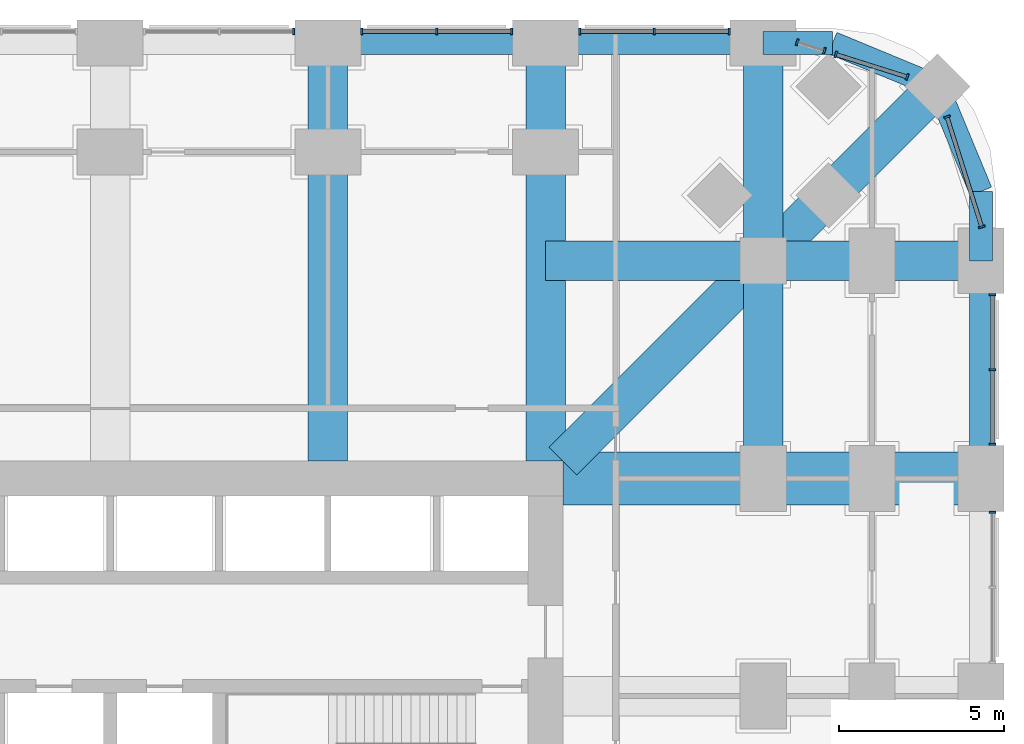
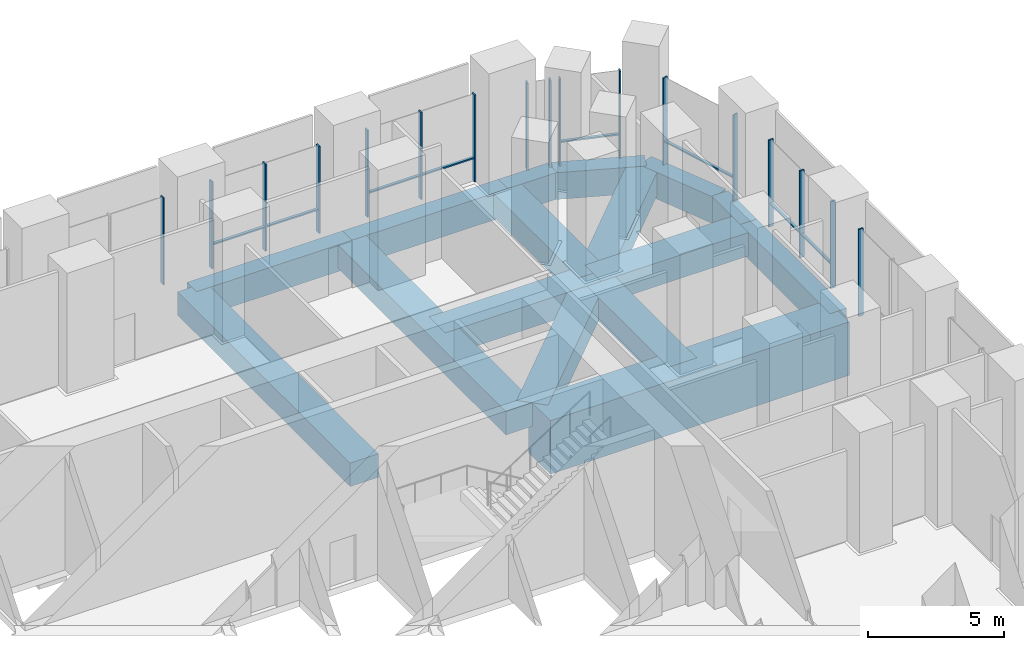
# One storey, part 6 of 17: 25 members, 16 beams, 8 elements without a shape of their own.
"""IFC4 building model written with IfcOpenShell, lengths in metres."""

from ifc_helpers import new_model, si_unit, direction, frame, origin, origin_2d, place, context, subcontext, project, spatial, rectangle, extrude, material, material_profile, profile_set, type_object, element, aggregate, save


model = new_model("IFC4")

# Units and contexts
model_context = context("Model", 3, precision=1e-05, world=origin(), true_north=direction((0.0, 1.0)))
body_context = subcontext(model_context, "Body", "Model", "MODEL_VIEW")
ifc_project = project(units=[si_unit("LENGTHUNIT", "METRE"), si_unit("AREAUNIT", "SQUARE_METRE"), si_unit("VOLUMEUNIT", "CUBIC_METRE"), si_unit("PLANEANGLEUNIT", "RADIAN"), si_unit("MASSUNIT", "GRAM", prefix="KILO")], contexts=[model_context])

# Site, building, storey
site_placement = place(None, origin())
site = spatial("IfcSite", under=ifc_project, at=site_placement, CompositionType="ELEMENT")
building_placement = place(site_placement, origin())
building = spatial("IfcBuilding", under=site, at=building_placement, Name="Cobogo Forest Laboratory Tower", CompositionType="ELEMENT")
storey_placement = place(building_placement, frame((0.0, 0.0, 7.199951171875)))
storey = spatial("IfcBuildingStorey", under=building, at=storey_placement, Name="L01", CompositionType="ELEMENT", Elevation=7.199951171875)

# Beams
ifc_material_1 = material(Name="Concrete HA-40 (C40/50)", Category="concrete")
ifc_material_profile_1 = material_profile(ifc_material_1, rectangle(XDim=1.199951171875, YDim=1.050048828125, at=origin_2d()), Name="RC 1200x1050")
ifc_profile_set_1 = profile_set([ifc_material_profile_1], Name="Concrete HA-40 (C40/50)")
beam_type_1 = type_object("IfcBeamType", Name="Laboratory floor wide beam 1200x1050", PredefinedType="BEAM", material=ifc_profile_set_1)
for number, where, z_axis, x_axis, name in (
    (1, (33.0, 33.52490234375, -0.824951171875), (0.0, 1.0, 0.0), (-1.0, 0.0, 0.0), "RB1 R-6-N L01"),
    (2, (39.60009765625, 33.52490234375, -0.824951171875), (0.0, 1.0, 0.0), (-1.0, 0.0, 0.0), "RB1 R-7-N L01"),
):
    element("IfcBeam", number, at=place(storey_placement, frame(where, z_axis=z_axis, x_axis=x_axis)), inside=storey, type_object=beam_type_1, Name=name, PredefinedType="BEAM", context=body_context, shape_type="SweptSolid", body=[
        extrude(rectangle(XDim=1.199951171875, YDim=1.050048828125, at=origin_2d()), origin(), (0.0, 0.0, 1.0), 12.675048828125),
    ])
beam_1_placement = place(storey_placement, frame((46.199951171875, 46.199951171875, -0.824951171875), z_axis=(0.0, -1.0, 0.0), x_axis=(1.0, 0.0, 0.0)))
element("IfcBeam", 3, at=beam_1_placement, inside=storey, type_object=beam_type_1, Name="RB1 G-NE-XF L01", PredefinedType="BEAM", context=body_context, shape_type="SweptSolid", body=[
    extrude(rectangle(XDim=1.199951171875, YDim=1.050048828125, at=origin_2d()), origin(), (0.0, 0.0, 1.0), 6.599853515625),
])
for number, where, z_axis, x_axis, name in (
    (4, (46.199951171875, 39.60009765625, -0.824951171875), (0.0, -1.0, 0.0), (1.0, 0.0, 0.0), "RB1 G-NE-XC L01"),
    (5, (52.800048828125, 39.60009765625, -0.824951171875), (-1.0, 0.0, 0.0), (0.0, -1.0, 0.0), "RB1 G-NE-YF L01"),
):
    element("IfcBeam", number, at=place(storey_placement, frame(where, z_axis=z_axis, x_axis=x_axis)), inside=storey, type_object=beam_type_1, Name=name, PredefinedType="BEAM", context=body_context, shape_type="SweptSolid", body=[
        extrude(rectangle(XDim=1.199951171875, YDim=1.050048828125, at=origin_2d()), origin(), (0.0, 0.0, 1.0), 6.60009765625),
    ])
beam_2_placement = place(storey_placement, frame((46.199951171875, 39.60009765625, -0.824951171875), z_axis=(-1.0, 0.0, 0.0), x_axis=(0.0, -1.0, 0.0)))
element("IfcBeam", 6, at=beam_2_placement, inside=storey, type_object=beam_type_1, Name="RB1 G-NE-YC L01", PredefinedType="BEAM", context=body_context, shape_type="SweptSolid", body=[
    extrude(rectangle(XDim=1.199951171875, YDim=1.050048828125, at=origin_2d()), origin(), (0.0, 0.0, 1.0), 6.599853515625),
])
beam_3_placement = place(storey_placement, frame((51.48193359375, 44.882080078125, -0.824951171875), z_axis=(-0.707106781187, -0.707106781187, 0.0), x_axis=(0.707106781187, -0.707106781187, 0.0)))
element("IfcBeam", 7, at=beam_3_placement, inside=storey, type_object=beam_type_1, Name="RB1 G-NE-D1 L01", PredefinedType="BEAM", context=body_context, shape_type="SweptSolid", body=[
    extrude(rectangle(XDim=1.199951171875, YDim=1.050048828125, at=origin_2d()), origin(), (0.0, 0.0, 1.0), 7.469970703125),
])
beam_4_placement = place(storey_placement, frame((46.199951171875, 39.60009765625, -0.824951171875), z_axis=(-0.707092572697, -0.70712098939, 0.0), x_axis=(0.70712098939, -0.707092572697, 0.0)))
element("IfcBeam", 8, at=beam_4_placement, inside=storey, type_object=beam_type_1, Name="RB1 G-NE-D2 L01", PredefinedType="BEAM", context=body_context, shape_type="SweptSolid", body=[
    extrude(rectangle(XDim=1.199951171875, YDim=1.050048828125, at=origin_2d()), origin(), (0.0, 0.0, 1.0), 8.591552734375),
])

# Curtain wall, member
ifc_material_2 = material(Name="Aluminium curtain wall", Category="aluminium")
curtain_wall_type = type_object("IfcCurtainWallType", Name="CW-K stick curtain wall, podium laboratories", PredefinedType="USERDEFINED", material=ifc_material_2)
curtain_wall_1_placement = place(storey_placement, origin())
curtain_wall_1 = element("IfcCurtainWall", 9, at=curtain_wall_1_placement, inside=storey, type_object=curtain_wall_type, Name="Curtain wall 13 L01", ObjectType="STICK CURTAIN WALL", PredefinedType="USERDEFINED")
ifc_material_3 = material(Name="Aluminium mullion", Category="aluminium")
ifc_material_profile_2 = material_profile(ifc_material_3, rectangle(XDim=0.06005859375, YDim=0.199951171875, at=origin_2d()), Name="AL 60x200")
ifc_profile_set_2 = profile_set([ifc_material_profile_2], Name="Aluminium mullion")
member_type_1 = type_object("IfcMemberType", Name="MU-2 aluminium mullion 60x200", PredefinedType="MULLION", material=ifc_profile_set_2)
member_1_placement = place(storey_placement, frame((53.14990234375, 31.969970703125, 0.0), z_axis=(0.0, 0.0, 1.0), x_axis=(0.0, 1.0, 0.0)))
member_1 = element("IfcMember", 10, at=member_1_placement, type_object=member_type_1, Name="CW-K mullion 3", PredefinedType="MULLION", context=body_context, shape_type="SweptSolid", body=[
    extrude(rectangle(XDim=0.06005859375, YDim=0.199951171875, at=origin_2d()), origin(), (0.0, 0.0, 1.0), 3.900146484375),
])
aggregate(curtain_wall_1, [member_1])

# Curtain wall, members
curtain_wall_2_placement = place(storey_placement, origin())
curtain_wall_2 = element("IfcCurtainWall", 11, at=curtain_wall_2_placement, inside=storey, type_object=curtain_wall_type, Name="Curtain wall 14 L01", ObjectType="STICK CURTAIN WALL", PredefinedType="USERDEFINED")
member_2_placement = place(storey_placement, frame((53.14990234375, 34.030029296875, 0.0), z_axis=(0.0, 0.0, 1.0), x_axis=(0.0, 1.0, 0.0)))
member_2 = element("IfcMember", 12, at=member_2_placement, type_object=member_type_1, Name="CW-K mullion 1", PredefinedType="MULLION", context=body_context, shape_type="SweptSolid", body=[
    extrude(rectangle(XDim=0.06005859375, YDim=0.199951171875, at=origin_2d()), origin(), (0.0, 0.0, 1.0), 3.900146484375),
])
member_3_placement = place(storey_placement, frame((53.14990234375, 36.300048828125, 0.0), z_axis=(0.0, 0.0, 1.0), x_axis=(0.0, 1.0, 0.0)))
member_3 = element("IfcMember", 13, at=member_3_placement, type_object=member_type_1, Name="CW-K mullion 2", PredefinedType="MULLION", context=body_context, shape_type="SweptSolid", body=[
    extrude(rectangle(XDim=0.06005859375, YDim=0.199951171875, at=origin_2d()), origin(), (0.0, 0.0, 1.0), 3.900146484375),
])
member_4_placement = place(storey_placement, frame((53.14990234375, 38.570068359375, 0.0), z_axis=(0.0, 0.0, 1.0), x_axis=(0.0, 1.0, 0.0)))
member_4 = element("IfcMember", 14, at=member_4_placement, type_object=member_type_1, Name="CW-K mullion 3", PredefinedType="MULLION", context=body_context, shape_type="SweptSolid", body=[
    extrude(rectangle(XDim=0.06005859375, YDim=0.199951171875, at=origin_2d()), origin(), (0.0, 0.0, 1.0), 3.900146484375),
])

curtain_wall_3_placement = place(storey_placement, origin())
curtain_wall_3 = element("IfcCurtainWall", 15, at=curtain_wall_3_placement, inside=storey, type_object=curtain_wall_type, Name="Curtain wall 15 L01", ObjectType="STICK CURTAIN WALL", PredefinedType="USERDEFINED")
member_5_placement = place(storey_placement, frame((52.8251953125, 40.628662109375, 0.0), z_axis=(0.0, 0.0, 1.0), x_axis=(-0.301135433696, 0.953581381201, 0.0)))
member_5 = element("IfcMember", 16, at=member_5_placement, type_object=member_type_1, Name="CW-K mullion 1", PredefinedType="MULLION", context=body_context, shape_type="SweptSolid", body=[
    extrude(rectangle(XDim=0.06005859375, YDim=0.199951171875, at=origin_2d()), origin(), (0.0, 0.0, 1.0), 3.900146484375),
])
member_6_placement = place(storey_placement, frame((51.772705078125, 43.961181640625, 0.0), z_axis=(0.0, 0.0, 1.0), x_axis=(-0.301135433696, 0.953581381201, 0.0)))
member_6 = element("IfcMember", 17, at=member_6_placement, type_object=member_type_1, Name="CW-K mullion 2", PredefinedType="MULLION", context=body_context, shape_type="SweptSolid", body=[
    extrude(rectangle(XDim=0.06005859375, YDim=0.199951171875, at=origin_2d()), origin(), (0.0, 0.0, 1.0), 3.900146484375),
])

curtain_wall_4_placement = place(storey_placement, origin())
curtain_wall_4 = element("IfcCurtainWall", 18, at=curtain_wall_4_placement, inside=storey, type_object=curtain_wall_type, Name="Curtain wall 16 L01", ObjectType="STICK CURTAIN WALL", PredefinedType="USERDEFINED")
member_7_placement = place(storey_placement, frame((50.561279296875, 45.1728515625, 0.0), z_axis=(0.0, 0.0, 1.0), x_axis=(-0.953581409645, 0.301135343623, 0.0)))
member_7 = element("IfcMember", 19, at=member_7_placement, type_object=member_type_1, Name="CW-K mullion 1", PredefinedType="MULLION", context=body_context, shape_type="SweptSolid", body=[
    extrude(rectangle(XDim=0.06005859375, YDim=0.199951171875, at=origin_2d()), origin(), (0.0, 0.0, 1.0), 3.900146484375),
])
member_8_placement = place(storey_placement, frame((48.403076171875, 45.854248046875, 0.0), z_axis=(0.0, 0.0, 1.0), x_axis=(-0.953581409645, 0.301135343623, 0.0)))
member_8 = element("IfcMember", 20, at=member_8_placement, type_object=member_type_1, Name="CW-K mullion 2", PredefinedType="MULLION", context=body_context, shape_type="SweptSolid", body=[
    extrude(rectangle(XDim=0.06005859375, YDim=0.199951171875, at=origin_2d()), origin(), (0.0, 0.0, 1.0), 3.900146484375),
])

curtain_wall_5_placement = place(storey_placement, origin())
curtain_wall_5 = element("IfcCurtainWall", 21, at=curtain_wall_5_placement, inside=storey, type_object=curtain_wall_type, Name="Curtain wall 17 L01", ObjectType="STICK CURTAIN WALL", PredefinedType="USERDEFINED")
member_9_placement = place(storey_placement, frame((48.05322265625, 45.96484375, 0.0), z_axis=(0.0, 0.0, 1.0), x_axis=(-0.953581406818, 0.301135352577, 0.0)))
member_9 = element("IfcMember", 22, at=member_9_placement, type_object=member_type_1, Name="CW-K mullion 1", PredefinedType="MULLION", context=body_context, shape_type="SweptSolid", body=[
    extrude(rectangle(XDim=0.06005859375, YDim=0.199951171875, at=origin_2d()), origin(), (0.0, 0.0, 1.0), 3.900146484375),
])
member_10_placement = place(storey_placement, frame((47.228515625, 46.22509765625, 0.0), z_axis=(0.0, 0.0, 1.0), x_axis=(-0.953581406818, 0.301135352577, 0.0)))
member_10 = element("IfcMember", 23, at=member_10_placement, type_object=member_type_1, Name="CW-K mullion 2", PredefinedType="MULLION", context=body_context, shape_type="SweptSolid", body=[
    extrude(rectangle(XDim=0.06005859375, YDim=0.199951171875, at=origin_2d()), origin(), (0.0, 0.0, 1.0), 3.900146484375),
])
aggregate(curtain_wall_5, [member_9, member_10])

curtain_wall_6_placement = place(storey_placement, origin())
curtain_wall_6 = element("IfcCurtainWall", 24, at=curtain_wall_6_placement, inside=storey, type_object=curtain_wall_type, Name="Curtain wall 18 L01", ObjectType="STICK CURTAIN WALL", PredefinedType="USERDEFINED")
member_11_placement = place(storey_placement, frame((45.169921875, 46.550048828125, 0.0), z_axis=(0.0, 0.0, 1.0), x_axis=(-1.0, 0.0, 0.0)))
member_11 = element("IfcMember", 25, at=member_11_placement, type_object=member_type_1, Name="CW-K mullion 1", PredefinedType="MULLION", context=body_context, shape_type="SweptSolid", body=[
    extrude(rectangle(XDim=0.06005859375, YDim=0.199951171875, at=origin_2d()), origin(), (0.0, 0.0, 1.0), 3.900146484375),
])
member_12_placement = place(storey_placement, frame((42.89990234375, 46.550048828125, 0.0), z_axis=(0.0, 0.0, 1.0), x_axis=(-1.0, 0.0, 0.0)))
member_12 = element("IfcMember", 26, at=member_12_placement, type_object=member_type_1, Name="CW-K mullion 2", PredefinedType="MULLION", context=body_context, shape_type="SweptSolid", body=[
    extrude(rectangle(XDim=0.06005859375, YDim=0.199951171875, at=origin_2d()), origin(), (0.0, 0.0, 1.0), 3.900146484375),
])
member_13_placement = place(storey_placement, frame((40.6298828125, 46.550048828125, 0.0), z_axis=(0.0, 0.0, 1.0), x_axis=(-1.0, 0.0, 0.0)))
member_13 = element("IfcMember", 27, at=member_13_placement, type_object=member_type_1, Name="CW-K mullion 3", PredefinedType="MULLION", context=body_context, shape_type="SweptSolid", body=[
    extrude(rectangle(XDim=0.06005859375, YDim=0.199951171875, at=origin_2d()), origin(), (0.0, 0.0, 1.0), 3.900146484375),
])

curtain_wall_7_placement = place(storey_placement, origin())
curtain_wall_7 = element("IfcCurtainWall", 28, at=curtain_wall_7_placement, inside=storey, type_object=curtain_wall_type, Name="Curtain wall 19 L01", ObjectType="STICK CURTAIN WALL", PredefinedType="USERDEFINED")
member_14_placement = place(storey_placement, frame((38.570068359375, 46.550048828125, 0.0), z_axis=(0.0, 0.0, 1.0), x_axis=(-1.0, 0.0, 0.0)))
member_14 = element("IfcMember", 29, at=member_14_placement, type_object=member_type_1, Name="CW-K mullion 1", PredefinedType="MULLION", context=body_context, shape_type="SweptSolid", body=[
    extrude(rectangle(XDim=0.06005859375, YDim=0.199951171875, at=origin_2d()), origin(), (0.0, 0.0, 1.0), 3.900146484375),
])
member_15_placement = place(storey_placement, frame((36.300048828125, 46.550048828125, 0.0), z_axis=(0.0, 0.0, 1.0), x_axis=(-1.0, 0.0, 0.0)))
member_15 = element("IfcMember", 30, at=member_15_placement, type_object=member_type_1, Name="CW-K mullion 2", PredefinedType="MULLION", context=body_context, shape_type="SweptSolid", body=[
    extrude(rectangle(XDim=0.06005859375, YDim=0.199951171875, at=origin_2d()), origin(), (0.0, 0.0, 1.0), 3.900146484375),
])
member_16_placement = place(storey_placement, frame((34.030029296875, 46.550048828125, 0.0), z_axis=(0.0, 0.0, 1.0), x_axis=(-1.0, 0.0, 0.0)))
member_16 = element("IfcMember", 31, at=member_16_placement, type_object=member_type_1, Name="CW-K mullion 3", PredefinedType="MULLION", context=body_context, shape_type="SweptSolid", body=[
    extrude(rectangle(XDim=0.06005859375, YDim=0.199951171875, at=origin_2d()), origin(), (0.0, 0.0, 1.0), 3.900146484375),
])

# Curtain wall, member
curtain_wall_8_placement = place(storey_placement, origin())
curtain_wall_8 = element("IfcCurtainWall", 32, at=curtain_wall_8_placement, inside=storey, type_object=curtain_wall_type, Name="Curtain wall 20 L01", ObjectType="STICK CURTAIN WALL", PredefinedType="USERDEFINED")
member_17_placement = place(storey_placement, frame((31.969970703125, 46.550048828125, 0.0), z_axis=(0.0, 0.0, 1.0), x_axis=(-1.0, 0.0, 0.0)))
member_17 = element("IfcMember", 33, at=member_17_placement, type_object=member_type_1, Name="CW-K mullion 1", PredefinedType="MULLION", context=body_context, shape_type="SweptSolid", body=[
    extrude(rectangle(XDim=0.06005859375, YDim=0.199951171875, at=origin_2d()), origin(), (0.0, 0.0, 1.0), 3.900146484375),
])
aggregate(curtain_wall_8, [member_17])

# Beams
ifc_material_profile_3 = material_profile(ifc_material_1, rectangle(XDim=0.699951171875, YDim=1.199951171875, at=origin_2d()), Name="RC 700x1200")
ifc_profile_set_3 = profile_set([ifc_material_profile_3], Name="Concrete HA-40 (C40/50)")
beam_type_2 = type_object("IfcBeamType", Name="Perimeter edge beam 700x1200", PredefinedType="BEAM", material=ifc_profile_set_3)
for number, where, z_axis, x_axis, name in (
    (34, (52.800048828125, 33.0, -0.89990234375), (0.0, 1.0, 0.0), (-1.0, 0.0, 0.0), "EB1 E-E5 L01"),
    (35, (33.0, 46.199951171875, -0.89990234375), (1.0, 0.0, 0.0), (0.0, 1.0, 0.0), "EB1 E-N5 L01"),
):
    element("IfcBeam", number, at=place(storey_placement, frame(where, z_axis=z_axis, x_axis=x_axis)), inside=storey, type_object=beam_type_2, Name=name, PredefinedType="BEAM", context=body_context, shape_type="SweptSolid", body=[
        extrude(rectangle(XDim=0.699951171875, YDim=1.199951171875, at=origin_2d()), origin(), (0.0, 0.0, 1.0), 6.60009765625),
    ])
beam_5_placement = place(storey_placement, frame((39.60009765625, 46.199951171875, -0.89990234375), z_axis=(1.0, 0.0, 0.0), x_axis=(0.0, 1.0, 0.0)))
element("IfcBeam", 36, at=beam_5_placement, inside=storey, type_object=beam_type_2, Name="EB1 E-N6 L01", PredefinedType="BEAM", context=body_context, shape_type="SweptSolid", body=[
    extrude(rectangle(XDim=0.699951171875, YDim=1.199951171875, at=origin_2d()), origin(), (0.0, 0.0, 1.0), 6.599853515625),
])
beam_6_placement = place(storey_placement, frame((52.800048828125, 39.60009765625, -0.89990234375), z_axis=(0.0, 1.0, 0.0), x_axis=(-1.0, 0.0, 0.0)))
element("IfcBeam", 37, at=beam_6_placement, inside=storey, type_object=beam_type_2, Name="EB1 E-NEE1 L01", PredefinedType="BEAM", context=body_context, shape_type="SweptSolid", body=[
    extrude(rectangle(XDim=0.699951171875, YDim=1.199951171875, at=origin_2d()), origin(), (0.0, 0.0, 1.0), 2.099853515625),
])
beam_7_placement = place(storey_placement, frame((52.800048828125, 41.699951171875, -0.89990234375), z_axis=(-0.382691928466, 0.923876013265, 0.0), x_axis=(-0.923876013265, -0.382691928466, 0.0)))
element("IfcBeam", 38, at=beam_7_placement, inside=storey, type_object=beam_type_2, Name="EB1 E-NEE2 L01", PredefinedType="BEAM", context=body_context, shape_type="SweptSolid", body=[
    extrude(rectangle(XDim=0.699951171875, YDim=1.199951171875, at=origin_2d()), origin(), (0.0, 0.0, 1.0), 3.4443359375),
])
beam_8_placement = place(storey_placement, frame((46.199951171875, 46.199951171875, -0.89990234375), z_axis=(1.0, 0.0, 0.0), x_axis=(0.0, 1.0, 0.0)))
element("IfcBeam", 39, at=beam_8_placement, inside=storey, type_object=beam_type_2, Name="EB1 E-NEN1 L01", PredefinedType="BEAM", context=body_context, shape_type="SweptSolid", body=[
    extrude(rectangle(XDim=0.699951171875, YDim=1.199951171875, at=origin_2d()), origin(), (0.0, 0.0, 1.0), 2.10009765625),
])
beam_9_placement = place(storey_placement, frame((48.300048828125, 46.199951171875, -0.89990234375), z_axis=(0.923890694089, -0.382656484822, 0.0), x_axis=(0.382656484822, 0.923890694089, 0.0)))
element("IfcBeam", 40, at=beam_9_placement, inside=storey, type_object=beam_type_2, Name="EB1 E-NEN2 L01", PredefinedType="BEAM", context=body_context, shape_type="SweptSolid", body=[
    extrude(rectangle(XDim=0.699951171875, YDim=1.199951171875, at=origin_2d()), origin(), (0.0, 0.0, 1.0), 3.444091796875),
])
ifc_material_4 = material(Name="Concrete HA-50 (C50/60)", Category="concrete")
ifc_material_profile_4 = material_profile(ifc_material_4, rectangle(XDim=1.60009765625, YDim=2.39990234375, at=origin_2d()), Name="RC 1600x2400")
ifc_profile_set_4 = profile_set([ifc_material_profile_4], Name="Concrete HA-50 (C50/60)")
beam_type_3 = type_object("IfcBeamType", Name="Podium transfer girder 1600x2400", PredefinedType="BEAM", material=ifc_profile_set_4)
beam_10_placement = place(storey_placement, frame((40.125, 33.0, -1.5), z_axis=(1.0, 0.0, 0.0), x_axis=(0.0, 1.0, 0.0)))
element("IfcBeam", 41, at=beam_10_placement, inside=storey, type_object=beam_type_3, Name="TG4 R-F-E L01", PredefinedType="BEAM", context=body_context, shape_type="SweptSolid", body=[
    extrude(rectangle(XDim=1.60009765625, YDim=2.39990234375, at=origin_2d()), origin(), (0.0, 0.0, 1.0), 12.675048828125),
])

# Member
ifc_material_5 = material(Name="Aluminium transom", Category="aluminium")
ifc_material_profile_5 = material_profile(ifc_material_5, rectangle(XDim=0.1201171875, YDim=0.06005859375, at=origin_2d()), Name="AL 60x120")
ifc_profile_set_5 = profile_set([ifc_material_profile_5], Name="Aluminium transom")
member_type_2 = type_object("IfcMemberType", Name="TR-1 aluminium transom 60x120", PredefinedType="USERDEFINED", material=ifc_profile_set_5)
member_18_placement = place(storey_placement, frame((53.14990234375, 34.06005859375, 1.050048828125), z_axis=(0.0, 1.0, 0.0), x_axis=(-1.0, 0.0, 0.0)))
member_18 = element("IfcMember", 42, at=member_18_placement, type_object=member_type_2, Name="CW-K transom 1.1", ObjectType="TRANSOM", PredefinedType="USERDEFINED", context=body_context, shape_type="SweptSolid", body=[
    extrude(rectangle(XDim=0.1201171875, YDim=0.06005859375, at=origin_2d()), origin(), (0.0, 0.0, 1.0), 2.2099609375),
])

member_19_placement = place(storey_placement, frame((53.14990234375, 36.330078125, 1.050048828125), z_axis=(0.0, 1.0, 0.0), x_axis=(-1.0, 0.0, 0.0)))
member_19 = element("IfcMember", 43, at=member_19_placement, type_object=member_type_2, Name="CW-K transom 2.1", ObjectType="TRANSOM", PredefinedType="USERDEFINED", context=body_context, shape_type="SweptSolid", body=[
    extrude(rectangle(XDim=0.1201171875, YDim=0.06005859375, at=origin_2d()), origin(), (0.0, 0.0, 1.0), 2.2099609375),
])

aggregate(curtain_wall_2, [member_2, member_3, member_4, member_18, member_19])

member_20_placement = place(storey_placement, frame((52.816162109375, 40.6572265625, 1.050048828125), z_axis=(-0.301155179686, 0.953575145308, 0.0), x_axis=(-0.953575145308, -0.301155179686, 0.0)))
member_20 = element("IfcMember", 44, at=member_20_placement, type_object=member_type_2, Name="CW-K transom 1.1", ObjectType="TRANSOM", PredefinedType="USERDEFINED", context=body_context, shape_type="SweptSolid", body=[
    extrude(rectangle(XDim=0.1201171875, YDim=0.06005859375, at=origin_2d()), origin(), (0.0, 0.0, 1.0), 3.434814453125),
])

aggregate(curtain_wall_3, [member_5, member_6, member_20])

member_21_placement = place(storey_placement, frame((50.53271484375, 45.181884765625, 1.050048828125), z_axis=(-0.953604433273, 0.301062426819, 0.0), x_axis=(-0.301062426819, -0.953604433273, 0.0)))
member_21 = element("IfcMember", 45, at=member_21_placement, type_object=member_type_2, Name="CW-K transom 1.1", ObjectType="TRANSOM", PredefinedType="USERDEFINED", context=body_context, shape_type="SweptSolid", body=[
    extrude(rectangle(XDim=0.1201171875, YDim=0.06005859375, at=origin_2d()), origin(), (0.0, 0.0, 1.0), 2.203369140625),
])

aggregate(curtain_wall_4, [member_7, member_8, member_21])

member_22_placement = place(storey_placement, frame((45.139892578125, 46.550048828125, 1.050048828125), z_axis=(-1.0, 0.0, 0.0), x_axis=(0.0, -1.0, 0.0)))
member_22 = element("IfcMember", 46, at=member_22_placement, type_object=member_type_2, Name="CW-K transom 1.1", ObjectType="TRANSOM", PredefinedType="USERDEFINED", context=body_context, shape_type="SweptSolid", body=[
    extrude(rectangle(XDim=0.1201171875, YDim=0.06005859375, at=origin_2d()), origin(), (0.0, 0.0, 1.0), 2.2099609375),
])

member_23_placement = place(storey_placement, frame((42.8701171875, 46.550048828125, 1.050048828125), z_axis=(-1.0, 0.0, 0.0), x_axis=(0.0, -1.0, 0.0)))
member_23 = element("IfcMember", 47, at=member_23_placement, type_object=member_type_2, Name="CW-K transom 2.1", ObjectType="TRANSOM", PredefinedType="USERDEFINED", context=body_context, shape_type="SweptSolid", body=[
    extrude(rectangle(XDim=0.1201171875, YDim=0.06005859375, at=origin_2d()), origin(), (0.0, 0.0, 1.0), 2.210205078125),
])

aggregate(curtain_wall_6, [member_11, member_12, member_13, member_22, member_23])

member_24_placement = place(storey_placement, frame((38.5400390625, 46.550048828125, 1.050048828125), z_axis=(-1.0, 0.0, 0.0), x_axis=(0.0, -1.0, 0.0)))
member_24 = element("IfcMember", 48, at=member_24_placement, type_object=member_type_2, Name="CW-K transom 1.1", ObjectType="TRANSOM", PredefinedType="USERDEFINED", context=body_context, shape_type="SweptSolid", body=[
    extrude(rectangle(XDim=0.1201171875, YDim=0.06005859375, at=origin_2d()), origin(), (0.0, 0.0, 1.0), 2.2099609375),
])

member_25_placement = place(storey_placement, frame((36.27001953125, 46.550048828125, 1.050048828125), z_axis=(-1.0, 0.0, 0.0), x_axis=(0.0, -1.0, 0.0)))
member_25 = element("IfcMember", 49, at=member_25_placement, type_object=member_type_2, Name="CW-K transom 2.1", ObjectType="TRANSOM", PredefinedType="USERDEFINED", context=body_context, shape_type="SweptSolid", body=[
    extrude(rectangle(XDim=0.1201171875, YDim=0.06005859375, at=origin_2d()), origin(), (0.0, 0.0, 1.0), 2.2099609375),
])

aggregate(curtain_wall_7, [member_14, member_15, member_16, member_24, member_25])

save(model, "model.ifc")
